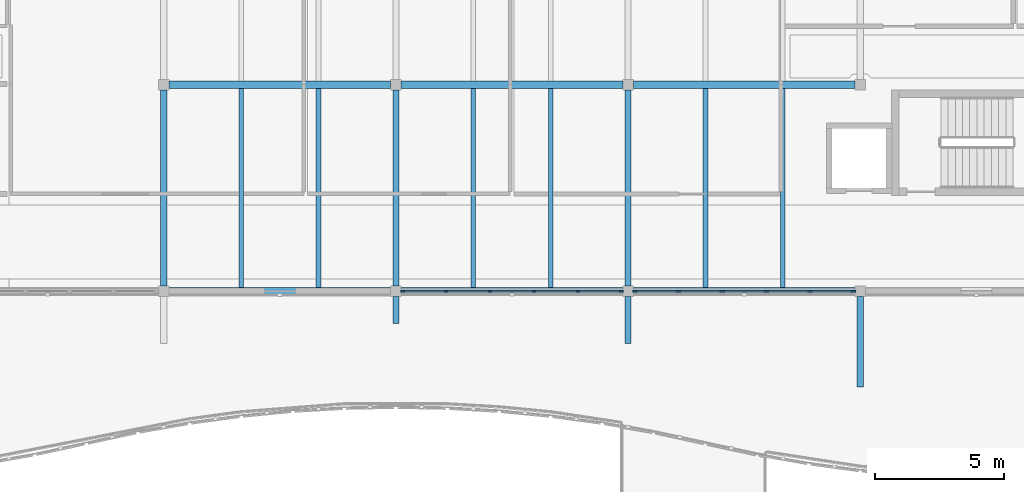
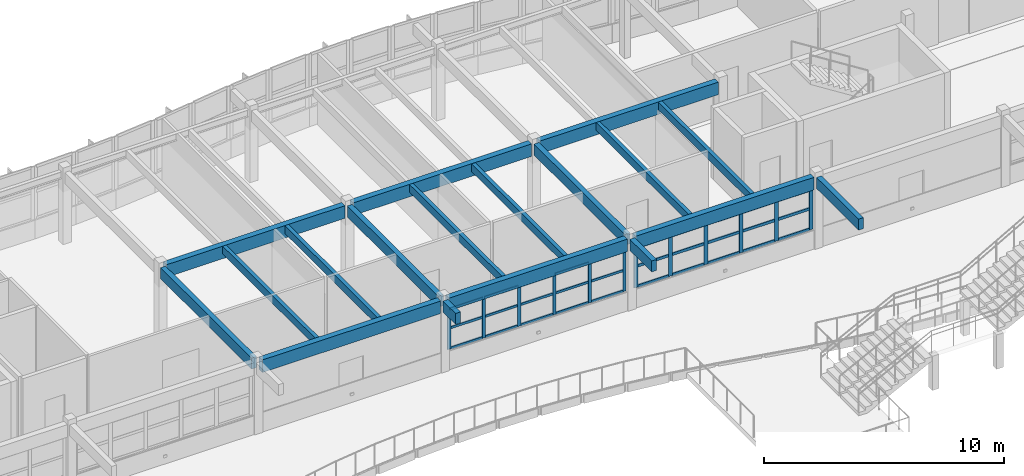
# One storey, part 10 of 52: 42 members, 18 beams, 2 elements without a shape of their own.
"""IFC4 building model written with IfcOpenShell, lengths in metres."""

from ifc_helpers import new_model, si_unit, direction, frame, origin, origin_2d, place, context, subcontext, project, spatial, rectangle, extrude, material, layer, layer_set, material_profile, profile_set, type_object, element, aggregate, save


model = new_model("IFC4")

# Units and contexts
model_context = context("Model", 3, precision=1e-05, world=origin(), true_north=direction((0.0, 1.0)))
body_context = subcontext(model_context, "Body", "Model", "MODEL_VIEW")
ifc_project = project(units=[si_unit("LENGTHUNIT", "METRE"), si_unit("AREAUNIT", "SQUARE_METRE"), si_unit("VOLUMEUNIT", "CUBIC_METRE"), si_unit("PLANEANGLEUNIT", "RADIAN"), si_unit("MASSUNIT", "GRAM", prefix="KILO")], contexts=[model_context])

# Site, building, storey
site_placement = place(None, origin())
site = spatial("IfcSite", under=ifc_project, at=site_placement, CompositionType="ELEMENT")
building_placement = place(site_placement, origin())
building = spatial("IfcBuilding", under=site, at=building_placement, Name="Tonlespit Floodbar School", CompositionType="ELEMENT")
storey_placement = place(building_placement, frame((0.0, 0.0, 12.300048828125)))
storey = spatial("IfcBuildingStorey", under=building, at=storey_placement, Name="L03", CompositionType="ELEMENT", Elevation=12.300048828125)

# Beams
ifc_material_1 = material(Name="Glulam GL28h", Category="wood")
ifc_material_profile_1 = material_profile(ifc_material_1, rectangle(XDim=0.239990234375, YDim=0.56005859375, at=origin_2d()), Name="GL 240x560")
ifc_profile_set_1 = profile_set([ifc_material_profile_1], Name="Glulam GL28h")
beam_type_1 = type_object("IfcBeamType", Name="Beam_GL_240x560", PredefinedType="BEAM", material=ifc_profile_set_1)
for number, where, z_axis, x_axis, name in (
    (1, (71.0, 104.199951171875, 3.369873046875), (0.0, 1.0, 0.0), (-1.0, 0.0, 0.0), "L03 girder 1225"),
    (2, (80.0, 104.199951171875, 3.369873046875), (0.0, 1.0, 0.0), (-1.0, 0.0, 0.0), "L03 girder 1227"),
    (3, (89.0, 104.199951171875, 3.369873046875), (0.0, 1.0, 0.0), (-1.0, 0.0, 0.0), "L03 girder 1229"),
):
    element("IfcBeam", number, at=place(storey_placement, frame(where, z_axis=z_axis, x_axis=x_axis)), inside=storey, type_object=beam_type_1, Name=name, PredefinedType="BEAM", context=body_context, shape_type="SweptSolid", body=[
        extrude(rectangle(XDim=0.239990234375, YDim=0.56005859375, at=origin_2d()), origin(), (0.0, 0.0, 1.0), 7.60009765625),
    ])
beam_1_placement = place(storey_placement, frame((80.0, 103.800048828125, 3.367919921875), z_axis=(0.0, -1.0, 0.0), x_axis=(1.0, 0.0, 0.0)))
element("IfcBeam", 4, at=beam_1_placement, inside=storey, type_object=beam_type_1, Name="L03 V1 curved gallery cantilever rib", PredefinedType="BEAM", context=body_context, shape_type="SweptSolid", body=[
    extrude(rectangle(XDim=0.239990234375, YDim=0.56005859375, at=origin_2d()), origin(), (0.0, 0.0, 1.0), 1.04638671875),
])
beam_2_placement = place(storey_placement, frame((89.0, 103.800048828125, 3.367919921875), z_axis=(0.0, -1.0, 0.0), x_axis=(1.0, 0.0, 0.0)))
element("IfcBeam", 5, at=beam_2_placement, inside=storey, type_object=beam_type_1, Name="L03 V1 curved gallery cantilever rib", PredefinedType="BEAM", context=body_context, shape_type="SweptSolid", body=[
    extrude(rectangle(XDim=0.239990234375, YDim=0.56005859375, at=origin_2d()), origin(), (0.0, 0.0, 1.0), 1.831298828125),
])
beam_3_placement = place(storey_placement, frame((98.0, 103.800048828125, 3.367919921875), z_axis=(0.0, -1.0, 0.0), x_axis=(1.0, 0.0, 0.0)))
element("IfcBeam", 6, at=beam_3_placement, inside=storey, type_object=beam_type_1, Name="L03 V1 curved gallery cantilever rib", PredefinedType="BEAM", context=body_context, shape_type="SweptSolid", body=[
    extrude(rectangle(XDim=0.239990234375, YDim=0.56005859375, at=origin_2d()), origin(), (0.0, 0.0, 1.0), 3.50634765625),
])
ifc_material_profile_2 = material_profile(ifc_material_1, rectangle(XDim=0.280029296875, YDim=0.639892578125, at=origin_2d()), Name="GL 280x640")
ifc_profile_set_2 = profile_set([ifc_material_profile_2], Name="Glulam GL28h")
beam_type_2 = type_object("IfcBeamType", Name="Beam_GL_280x640", PredefinedType="BEAM", material=ifc_profile_set_2)
for number, where, z_axis, x_axis, name in (
    (7, (71.199951171875, 104.0, 3.327880859375), (1.0, 0.0, 0.0), (0.0, 1.0, 0.0), "L03 girder 1170"),
    (8, (80.199951171875, 104.0, 3.327880859375), (1.0, 0.0, 0.0), (0.0, 1.0, 0.0), "L03 girder 1171"),
    (9, (89.199951171875, 104.0, 3.327880859375), (1.0, 0.0, 0.0), (0.0, 1.0, 0.0), "L03 girder 1172"),
    (10, (71.199951171875, 112.0, 3.329833984375), (1.0, 0.0, 0.0), (0.0, 1.0, 0.0), "L03 girder 1182"),
    (11, (80.199951171875, 112.0, 3.329833984375), (1.0, 0.0, 0.0), (0.0, 1.0, 0.0), "L03 girder 1183"),
    (12, (89.199951171875, 112.0, 3.329833984375), (1.0, 0.0, 0.0), (0.0, 1.0, 0.0), "L03 girder 1184"),
):
    element("IfcBeam", number, at=place(storey_placement, frame(where, z_axis=z_axis, x_axis=x_axis)), inside=storey, type_object=beam_type_2, Name=name, PredefinedType="BEAM", context=body_context, shape_type="SweptSolid", body=[
        extrude(rectangle(XDim=0.280029296875, YDim=0.639892578125, at=origin_2d()), origin(), (0.0, 0.0, 1.0), 8.60009765625),
    ])

# Curtain wall, members
ifc_material_2 = material(Name="Anodised Aluminium", Category="aluminium")
ifc_layer = layer(ifc_material_2, 0.159912109375)
ifc_layer_set = layer_set([ifc_layer], Name="Anodised Aluminium")
curtain_wall_type = type_object("IfcCurtainWallType", Name="CurtainWall_8500x2050", PredefinedType="NOTDEFINED", material=ifc_layer_set)
curtain_wall_1_placement = place(storey_placement, origin())
curtain_wall_1 = element("IfcCurtainWall", 13, at=curtain_wall_1_placement, inside=storey, type_object=curtain_wall_type, Name="L03 unitised curtain wall 0162", PredefinedType="NOTDEFINED")
ifc_material_profile_3 = material_profile(ifc_material_2, rectangle(XDim=0.06494140625, YDim=0.14990234375, at=origin_2d()), Name="ALU M65x150")
ifc_profile_set_3 = profile_set([ifc_material_profile_3], Name="Anodised Aluminium")
member_type_1 = type_object("IfcMemberType", Name="CW_Mullion_65x150", PredefinedType="MULLION", material=ifc_profile_set_3)
member_1_placement = place(storey_placement, frame((88.7275390625, 104.0, 0.949951171875), z_axis=(0.0, 0.0, 1.0), x_axis=(0.0, -1.0, 0.0)))
member_1 = element("IfcMember", 14, at=member_1_placement, type_object=member_type_1, Name="CW-07 mullion 1", PredefinedType="MULLION", context=body_context, shape_type="SweptSolid", body=[
    extrude(rectangle(XDim=0.06494140625, YDim=0.14990234375, at=origin_2d()), origin(), (0.0, 0.0, 1.0), 2.05810546875),
])
member_2_placement = place(storey_placement, frame((87.055908203125, 104.0, 0.949951171875), z_axis=(0.0, 0.0, 1.0), x_axis=(0.0, -1.0, 0.0)))
member_2 = element("IfcMember", 15, at=member_2_placement, type_object=member_type_1, Name="CW-07 mullion 2", PredefinedType="MULLION", context=body_context, shape_type="SweptSolid", body=[
    extrude(rectangle(XDim=0.06494140625, YDim=0.14990234375, at=origin_2d()), origin(), (0.0, 0.0, 1.0), 2.05810546875),
])
member_3_placement = place(storey_placement, frame((85.35205078125, 104.0, 0.949951171875), z_axis=(0.0, 0.0, 1.0), x_axis=(0.0, -1.0, 0.0)))
member_3 = element("IfcMember", 16, at=member_3_placement, type_object=member_type_1, Name="CW-07 mullion 3", PredefinedType="MULLION", context=body_context, shape_type="SweptSolid", body=[
    extrude(rectangle(XDim=0.06494140625, YDim=0.14990234375, at=origin_2d()), origin(), (0.0, 0.0, 1.0), 2.05810546875),
])
member_4_placement = place(storey_placement, frame((83.64794921875, 104.0, 0.949951171875), z_axis=(0.0, 0.0, 1.0), x_axis=(0.0, -1.0, 0.0)))
member_4 = element("IfcMember", 17, at=member_4_placement, type_object=member_type_1, Name="CW-07 mullion 4", PredefinedType="MULLION", context=body_context, shape_type="SweptSolid", body=[
    extrude(rectangle(XDim=0.06494140625, YDim=0.14990234375, at=origin_2d()), origin(), (0.0, 0.0, 1.0), 2.05810546875),
])
member_5_placement = place(storey_placement, frame((81.944091796875, 104.0, 0.949951171875), z_axis=(0.0, 0.0, 1.0), x_axis=(0.0, -1.0, 0.0)))
member_5 = element("IfcMember", 18, at=member_5_placement, type_object=member_type_1, Name="CW-07 mullion 5", PredefinedType="MULLION", context=body_context, shape_type="SweptSolid", body=[
    extrude(rectangle(XDim=0.06494140625, YDim=0.14990234375, at=origin_2d()), origin(), (0.0, 0.0, 1.0), 2.05810546875),
])
member_6_placement = place(storey_placement, frame((80.2724609375, 104.0, 0.949951171875), z_axis=(0.0, 0.0, 1.0), x_axis=(0.0, -1.0, 0.0)))
member_6 = element("IfcMember", 19, at=member_6_placement, type_object=member_type_1, Name="CW-07 mullion 6", PredefinedType="MULLION", context=body_context, shape_type="SweptSolid", body=[
    extrude(rectangle(XDim=0.06494140625, YDim=0.14990234375, at=origin_2d()), origin(), (0.0, 0.0, 1.0), 2.05810546875),
])

curtain_wall_2_placement = place(storey_placement, origin())
curtain_wall_2 = element("IfcCurtainWall", 20, at=curtain_wall_2_placement, inside=storey, type_object=curtain_wall_type, Name="L03 unitised curtain wall 0161", PredefinedType="NOTDEFINED")
ifc_material_profile_4 = material_profile(ifc_material_2, rectangle(XDim=0.06494140625, YDim=0.179931640625, at=origin_2d()), Name="ALU M65x180")
ifc_profile_set_4 = profile_set([ifc_material_profile_4], Name="Anodised Aluminium")
member_type_2 = type_object("IfcMemberType", Name="CW_Mullion_65x180", PredefinedType="MULLION", material=ifc_profile_set_4)
member_7_placement = place(storey_placement, frame((97.7275390625, 104.0, 0.949951171875), z_axis=(0.0, 0.0, 1.0), x_axis=(0.0, -1.0, 0.0)))
member_7 = element("IfcMember", 21, at=member_7_placement, type_object=member_type_2, Name="CW-07 mullion 1", PredefinedType="MULLION", context=body_context, shape_type="SweptSolid", body=[
    extrude(rectangle(XDim=0.06494140625, YDim=0.179931640625, at=origin_2d()), origin(), (0.0, 0.0, 1.0), 2.05810546875),
])
member_8_placement = place(storey_placement, frame((96.055908203125, 104.0, 0.949951171875), z_axis=(0.0, 0.0, 1.0), x_axis=(0.0, -1.0, 0.0)))
member_8 = element("IfcMember", 22, at=member_8_placement, type_object=member_type_2, Name="CW-07 mullion 2", PredefinedType="MULLION", context=body_context, shape_type="SweptSolid", body=[
    extrude(rectangle(XDim=0.06494140625, YDim=0.179931640625, at=origin_2d()), origin(), (0.0, 0.0, 1.0), 2.05810546875),
])
member_9_placement = place(storey_placement, frame((94.35205078125, 104.0, 0.949951171875), z_axis=(0.0, 0.0, 1.0), x_axis=(0.0, -1.0, 0.0)))
member_9 = element("IfcMember", 23, at=member_9_placement, type_object=member_type_2, Name="CW-07 mullion 3", PredefinedType="MULLION", context=body_context, shape_type="SweptSolid", body=[
    extrude(rectangle(XDim=0.06494140625, YDim=0.179931640625, at=origin_2d()), origin(), (0.0, 0.0, 1.0), 2.05810546875),
])
member_10_placement = place(storey_placement, frame((92.64794921875, 104.0, 0.949951171875), z_axis=(0.0, 0.0, 1.0), x_axis=(0.0, -1.0, 0.0)))
member_10 = element("IfcMember", 24, at=member_10_placement, type_object=member_type_2, Name="CW-07 mullion 4", PredefinedType="MULLION", context=body_context, shape_type="SweptSolid", body=[
    extrude(rectangle(XDim=0.06494140625, YDim=0.179931640625, at=origin_2d()), origin(), (0.0, 0.0, 1.0), 2.05810546875),
])
member_11_placement = place(storey_placement, frame((90.944091796875, 104.0, 0.949951171875), z_axis=(0.0, 0.0, 1.0), x_axis=(0.0, -1.0, 0.0)))
member_11 = element("IfcMember", 25, at=member_11_placement, type_object=member_type_2, Name="CW-07 mullion 5", PredefinedType="MULLION", context=body_context, shape_type="SweptSolid", body=[
    extrude(rectangle(XDim=0.06494140625, YDim=0.179931640625, at=origin_2d()), origin(), (0.0, 0.0, 1.0), 2.05810546875),
])
member_12_placement = place(storey_placement, frame((89.2724609375, 104.0, 0.949951171875), z_axis=(0.0, 0.0, 1.0), x_axis=(0.0, -1.0, 0.0)))
member_12 = element("IfcMember", 26, at=member_12_placement, type_object=member_type_2, Name="CW-07 mullion 6", PredefinedType="MULLION", context=body_context, shape_type="SweptSolid", body=[
    extrude(rectangle(XDim=0.06494140625, YDim=0.179931640625, at=origin_2d()), origin(), (0.0, 0.0, 1.0), 2.05810546875),
])

# Member
ifc_material_profile_5 = material_profile(ifc_material_2, rectangle(XDim=0.06494140625, YDim=0.1201171875, at=origin_2d()), Name="ALU T65x120")
ifc_profile_set_5 = profile_set([ifc_material_profile_5], Name="Anodised Aluminium")
member_type_3 = type_object("IfcMemberType", Name="CW_Transom_65x120", PredefinedType="USERDEFINED", material=ifc_profile_set_5)
member_13_placement = place(storey_placement, frame((88.695068359375, 104.0, 0.982421875), z_axis=(-1.0, 0.0, 0.0), x_axis=(0.0, -1.0, 0.0)))
member_13 = element("IfcMember", 27, at=member_13_placement, type_object=member_type_3, Name="CW-07 transom 1.1", ObjectType="TRANSOM", PredefinedType="USERDEFINED", context=body_context, shape_type="SweptSolid", body=[
    extrude(rectangle(XDim=0.06494140625, YDim=0.1201171875, at=origin_2d()), origin(), (0.0, 0.0, 1.0), 1.606689453125),
])

member_14_placement = place(storey_placement, frame((88.695068359375, 104.0, 2.020263671875), z_axis=(-1.0, 0.0, 0.0), x_axis=(0.0, -1.0, 0.0)))
member_14 = element("IfcMember", 28, at=member_14_placement, type_object=member_type_3, Name="CW-07 transom 1.2", ObjectType="TRANSOM", PredefinedType="USERDEFINED", context=body_context, shape_type="SweptSolid", body=[
    extrude(rectangle(XDim=0.06494140625, YDim=0.1201171875, at=origin_2d()), origin(), (0.0, 0.0, 1.0), 1.606689453125),
])

member_15_placement = place(storey_placement, frame((88.695068359375, 104.0, 2.975341796875), z_axis=(-1.0, 0.0, 0.0), x_axis=(0.0, -1.0, 0.0)))
member_15 = element("IfcMember", 29, at=member_15_placement, type_object=member_type_3, Name="CW-07 transom 1.3", ObjectType="TRANSOM", PredefinedType="USERDEFINED", context=body_context, shape_type="SweptSolid", body=[
    extrude(rectangle(XDim=0.06494140625, YDim=0.1201171875, at=origin_2d()), origin(), (0.0, 0.0, 1.0), 1.606689453125),
])

member_16_placement = place(storey_placement, frame((87.0234375, 104.0, 0.982421875), z_axis=(-1.0, 0.0, 0.0), x_axis=(0.0, -1.0, 0.0)))
member_16 = element("IfcMember", 30, at=member_16_placement, type_object=member_type_3, Name="CW-07 transom 2.1", ObjectType="TRANSOM", PredefinedType="USERDEFINED", context=body_context, shape_type="SweptSolid", body=[
    extrude(rectangle(XDim=0.06494140625, YDim=0.1201171875, at=origin_2d()), origin(), (0.0, 0.0, 1.0), 1.638916015625),
])

member_17_placement = place(storey_placement, frame((87.0234375, 104.0, 2.020263671875), z_axis=(-1.0, 0.0, 0.0), x_axis=(0.0, -1.0, 0.0)))
member_17 = element("IfcMember", 31, at=member_17_placement, type_object=member_type_3, Name="CW-07 transom 2.2", ObjectType="TRANSOM", PredefinedType="USERDEFINED", context=body_context, shape_type="SweptSolid", body=[
    extrude(rectangle(XDim=0.06494140625, YDim=0.1201171875, at=origin_2d()), origin(), (0.0, 0.0, 1.0), 1.638916015625),
])

member_18_placement = place(storey_placement, frame((87.0234375, 104.0, 2.975341796875), z_axis=(-1.0, 0.0, 0.0), x_axis=(0.0, -1.0, 0.0)))
member_18 = element("IfcMember", 32, at=member_18_placement, type_object=member_type_3, Name="CW-07 transom 2.3", ObjectType="TRANSOM", PredefinedType="USERDEFINED", context=body_context, shape_type="SweptSolid", body=[
    extrude(rectangle(XDim=0.06494140625, YDim=0.1201171875, at=origin_2d()), origin(), (0.0, 0.0, 1.0), 1.638916015625),
])

member_19_placement = place(storey_placement, frame((85.319580078125, 104.0, 0.982421875), z_axis=(-1.0, 0.0, 0.0), x_axis=(0.0, -1.0, 0.0)))
member_19 = element("IfcMember", 33, at=member_19_placement, type_object=member_type_3, Name="CW-07 transom 3.1", ObjectType="TRANSOM", PredefinedType="USERDEFINED", context=body_context, shape_type="SweptSolid", body=[
    extrude(rectangle(XDim=0.06494140625, YDim=0.1201171875, at=origin_2d()), origin(), (0.0, 0.0, 1.0), 1.63916015625),
])

member_20_placement = place(storey_placement, frame((85.319580078125, 104.0, 2.020263671875), z_axis=(-1.0, 0.0, 0.0), x_axis=(0.0, -1.0, 0.0)))
member_20 = element("IfcMember", 34, at=member_20_placement, type_object=member_type_3, Name="CW-07 transom 3.2", ObjectType="TRANSOM", PredefinedType="USERDEFINED", context=body_context, shape_type="SweptSolid", body=[
    extrude(rectangle(XDim=0.06494140625, YDim=0.1201171875, at=origin_2d()), origin(), (0.0, 0.0, 1.0), 1.63916015625),
])

member_21_placement = place(storey_placement, frame((85.319580078125, 104.0, 2.975341796875), z_axis=(-1.0, 0.0, 0.0), x_axis=(0.0, -1.0, 0.0)))
member_21 = element("IfcMember", 35, at=member_21_placement, type_object=member_type_3, Name="CW-07 transom 3.3", ObjectType="TRANSOM", PredefinedType="USERDEFINED", context=body_context, shape_type="SweptSolid", body=[
    extrude(rectangle(XDim=0.06494140625, YDim=0.1201171875, at=origin_2d()), origin(), (0.0, 0.0, 1.0), 1.63916015625),
])

member_22_placement = place(storey_placement, frame((83.615478515625, 104.0, 0.982421875), z_axis=(-1.0, 0.0, 0.0), x_axis=(0.0, -1.0, 0.0)))
member_22 = element("IfcMember", 36, at=member_22_placement, type_object=member_type_3, Name="CW-07 transom 4.1", ObjectType="TRANSOM", PredefinedType="USERDEFINED", context=body_context, shape_type="SweptSolid", body=[
    extrude(rectangle(XDim=0.06494140625, YDim=0.1201171875, at=origin_2d()), origin(), (0.0, 0.0, 1.0), 1.638916015625),
])

member_23_placement = place(storey_placement, frame((83.615478515625, 104.0, 2.020263671875), z_axis=(-1.0, 0.0, 0.0), x_axis=(0.0, -1.0, 0.0)))
member_23 = element("IfcMember", 37, at=member_23_placement, type_object=member_type_3, Name="CW-07 transom 4.2", ObjectType="TRANSOM", PredefinedType="USERDEFINED", context=body_context, shape_type="SweptSolid", body=[
    extrude(rectangle(XDim=0.06494140625, YDim=0.1201171875, at=origin_2d()), origin(), (0.0, 0.0, 1.0), 1.638916015625),
])

member_24_placement = place(storey_placement, frame((83.615478515625, 104.0, 2.975341796875), z_axis=(-1.0, 0.0, 0.0), x_axis=(0.0, -1.0, 0.0)))
member_24 = element("IfcMember", 38, at=member_24_placement, type_object=member_type_3, Name="CW-07 transom 4.3", ObjectType="TRANSOM", PredefinedType="USERDEFINED", context=body_context, shape_type="SweptSolid", body=[
    extrude(rectangle(XDim=0.06494140625, YDim=0.1201171875, at=origin_2d()), origin(), (0.0, 0.0, 1.0), 1.638916015625),
])

member_25_placement = place(storey_placement, frame((81.91162109375, 104.0, 0.982421875), z_axis=(-1.0, 0.0, 0.0), x_axis=(0.0, -1.0, 0.0)))
member_25 = element("IfcMember", 39, at=member_25_placement, type_object=member_type_3, Name="CW-07 transom 5.1", ObjectType="TRANSOM", PredefinedType="USERDEFINED", context=body_context, shape_type="SweptSolid", body=[
    extrude(rectangle(XDim=0.06494140625, YDim=0.1201171875, at=origin_2d()), origin(), (0.0, 0.0, 1.0), 1.606689453125),
])

member_26_placement = place(storey_placement, frame((81.91162109375, 104.0, 2.020263671875), z_axis=(-1.0, 0.0, 0.0), x_axis=(0.0, -1.0, 0.0)))
member_26 = element("IfcMember", 40, at=member_26_placement, type_object=member_type_3, Name="CW-07 transom 5.2", ObjectType="TRANSOM", PredefinedType="USERDEFINED", context=body_context, shape_type="SweptSolid", body=[
    extrude(rectangle(XDim=0.06494140625, YDim=0.1201171875, at=origin_2d()), origin(), (0.0, 0.0, 1.0), 1.606689453125),
])

member_27_placement = place(storey_placement, frame((81.91162109375, 104.0, 2.975341796875), z_axis=(-1.0, 0.0, 0.0), x_axis=(0.0, -1.0, 0.0)))
member_27 = element("IfcMember", 41, at=member_27_placement, type_object=member_type_3, Name="CW-07 transom 5.3", ObjectType="TRANSOM", PredefinedType="USERDEFINED", context=body_context, shape_type="SweptSolid", body=[
    extrude(rectangle(XDim=0.06494140625, YDim=0.1201171875, at=origin_2d()), origin(), (0.0, 0.0, 1.0), 1.606689453125),
])

aggregate(curtain_wall_1, [member_1, member_2, member_3, member_4, member_5, member_6, member_13, member_14, member_15, member_16, member_17, member_18, member_19, member_20, member_21, member_22, member_23, member_24, member_25, member_26, member_27])

ifc_material_profile_6 = material_profile(ifc_material_2, rectangle(XDim=0.06494140625, YDim=0.139892578125, at=origin_2d()), Name="ALU T65x140")
ifc_profile_set_6 = profile_set([ifc_material_profile_6], Name="Anodised Aluminium")
member_type_4 = type_object("IfcMemberType", Name="CW_Transom_65x140", PredefinedType="USERDEFINED", material=ifc_profile_set_6)
member_28_placement = place(storey_placement, frame((97.695068359375, 104.0, 0.982421875), z_axis=(-1.0, 0.0, 0.0), x_axis=(0.0, -1.0, 0.0)))
member_28 = element("IfcMember", 42, at=member_28_placement, type_object=member_type_4, Name="CW-07 transom 1.1", ObjectType="TRANSOM", PredefinedType="USERDEFINED", context=body_context, shape_type="SweptSolid", body=[
    extrude(rectangle(XDim=0.06494140625, YDim=0.139892578125, at=origin_2d()), origin(), (0.0, 0.0, 1.0), 1.606689453125),
])

member_29_placement = place(storey_placement, frame((97.695068359375, 104.0, 2.020263671875), z_axis=(-1.0, 0.0, 0.0), x_axis=(0.0, -1.0, 0.0)))
member_29 = element("IfcMember", 43, at=member_29_placement, type_object=member_type_4, Name="CW-07 transom 1.2", ObjectType="TRANSOM", PredefinedType="USERDEFINED", context=body_context, shape_type="SweptSolid", body=[
    extrude(rectangle(XDim=0.06494140625, YDim=0.139892578125, at=origin_2d()), origin(), (0.0, 0.0, 1.0), 1.606689453125),
])

member_30_placement = place(storey_placement, frame((97.695068359375, 104.0, 2.975341796875), z_axis=(-1.0, 0.0, 0.0), x_axis=(0.0, -1.0, 0.0)))
member_30 = element("IfcMember", 44, at=member_30_placement, type_object=member_type_4, Name="CW-07 transom 1.3", ObjectType="TRANSOM", PredefinedType="USERDEFINED", context=body_context, shape_type="SweptSolid", body=[
    extrude(rectangle(XDim=0.06494140625, YDim=0.139892578125, at=origin_2d()), origin(), (0.0, 0.0, 1.0), 1.606689453125),
])

member_31_placement = place(storey_placement, frame((96.0234375, 104.0, 0.982421875), z_axis=(-1.0, 0.0, 0.0), x_axis=(0.0, -1.0, 0.0)))
member_31 = element("IfcMember", 45, at=member_31_placement, type_object=member_type_4, Name="CW-07 transom 2.1", ObjectType="TRANSOM", PredefinedType="USERDEFINED", context=body_context, shape_type="SweptSolid", body=[
    extrude(rectangle(XDim=0.06494140625, YDim=0.139892578125, at=origin_2d()), origin(), (0.0, 0.0, 1.0), 1.638916015625),
])

member_32_placement = place(storey_placement, frame((96.0234375, 104.0, 2.020263671875), z_axis=(-1.0, 0.0, 0.0), x_axis=(0.0, -1.0, 0.0)))
member_32 = element("IfcMember", 46, at=member_32_placement, type_object=member_type_4, Name="CW-07 transom 2.2", ObjectType="TRANSOM", PredefinedType="USERDEFINED", context=body_context, shape_type="SweptSolid", body=[
    extrude(rectangle(XDim=0.06494140625, YDim=0.139892578125, at=origin_2d()), origin(), (0.0, 0.0, 1.0), 1.638916015625),
])

member_33_placement = place(storey_placement, frame((96.0234375, 104.0, 2.975341796875), z_axis=(-1.0, 0.0, 0.0), x_axis=(0.0, -1.0, 0.0)))
member_33 = element("IfcMember", 47, at=member_33_placement, type_object=member_type_4, Name="CW-07 transom 2.3", ObjectType="TRANSOM", PredefinedType="USERDEFINED", context=body_context, shape_type="SweptSolid", body=[
    extrude(rectangle(XDim=0.06494140625, YDim=0.139892578125, at=origin_2d()), origin(), (0.0, 0.0, 1.0), 1.638916015625),
])

member_34_placement = place(storey_placement, frame((94.319580078125, 104.0, 0.982421875), z_axis=(-1.0, 0.0, 0.0), x_axis=(0.0, -1.0, 0.0)))
member_34 = element("IfcMember", 48, at=member_34_placement, type_object=member_type_4, Name="CW-07 transom 3.1", ObjectType="TRANSOM", PredefinedType="USERDEFINED", context=body_context, shape_type="SweptSolid", body=[
    extrude(rectangle(XDim=0.06494140625, YDim=0.139892578125, at=origin_2d()), origin(), (0.0, 0.0, 1.0), 1.63916015625),
])

member_35_placement = place(storey_placement, frame((94.319580078125, 104.0, 2.020263671875), z_axis=(-1.0, 0.0, 0.0), x_axis=(0.0, -1.0, 0.0)))
member_35 = element("IfcMember", 49, at=member_35_placement, type_object=member_type_4, Name="CW-07 transom 3.2", ObjectType="TRANSOM", PredefinedType="USERDEFINED", context=body_context, shape_type="SweptSolid", body=[
    extrude(rectangle(XDim=0.06494140625, YDim=0.139892578125, at=origin_2d()), origin(), (0.0, 0.0, 1.0), 1.63916015625),
])

member_36_placement = place(storey_placement, frame((94.319580078125, 104.0, 2.975341796875), z_axis=(-1.0, 0.0, 0.0), x_axis=(0.0, -1.0, 0.0)))
member_36 = element("IfcMember", 50, at=member_36_placement, type_object=member_type_4, Name="CW-07 transom 3.3", ObjectType="TRANSOM", PredefinedType="USERDEFINED", context=body_context, shape_type="SweptSolid", body=[
    extrude(rectangle(XDim=0.06494140625, YDim=0.139892578125, at=origin_2d()), origin(), (0.0, 0.0, 1.0), 1.63916015625),
])

member_37_placement = place(storey_placement, frame((92.615478515625, 104.0, 0.982421875), z_axis=(-1.0, 0.0, 0.0), x_axis=(0.0, -1.0, 0.0)))
member_37 = element("IfcMember", 51, at=member_37_placement, type_object=member_type_4, Name="CW-07 transom 4.1", ObjectType="TRANSOM", PredefinedType="USERDEFINED", context=body_context, shape_type="SweptSolid", body=[
    extrude(rectangle(XDim=0.06494140625, YDim=0.139892578125, at=origin_2d()), origin(), (0.0, 0.0, 1.0), 1.638916015625),
])

member_38_placement = place(storey_placement, frame((92.615478515625, 104.0, 2.020263671875), z_axis=(-1.0, 0.0, 0.0), x_axis=(0.0, -1.0, 0.0)))
member_38 = element("IfcMember", 52, at=member_38_placement, type_object=member_type_4, Name="CW-07 transom 4.2", ObjectType="TRANSOM", PredefinedType="USERDEFINED", context=body_context, shape_type="SweptSolid", body=[
    extrude(rectangle(XDim=0.06494140625, YDim=0.139892578125, at=origin_2d()), origin(), (0.0, 0.0, 1.0), 1.638916015625),
])

member_39_placement = place(storey_placement, frame((92.615478515625, 104.0, 2.975341796875), z_axis=(-1.0, 0.0, 0.0), x_axis=(0.0, -1.0, 0.0)))
member_39 = element("IfcMember", 53, at=member_39_placement, type_object=member_type_4, Name="CW-07 transom 4.3", ObjectType="TRANSOM", PredefinedType="USERDEFINED", context=body_context, shape_type="SweptSolid", body=[
    extrude(rectangle(XDim=0.06494140625, YDim=0.139892578125, at=origin_2d()), origin(), (0.0, 0.0, 1.0), 1.638916015625),
])

member_40_placement = place(storey_placement, frame((90.91162109375, 104.0, 0.982421875), z_axis=(-1.0, 0.0, 0.0), x_axis=(0.0, -1.0, 0.0)))
member_40 = element("IfcMember", 54, at=member_40_placement, type_object=member_type_4, Name="CW-07 transom 5.1", ObjectType="TRANSOM", PredefinedType="USERDEFINED", context=body_context, shape_type="SweptSolid", body=[
    extrude(rectangle(XDim=0.06494140625, YDim=0.139892578125, at=origin_2d()), origin(), (0.0, 0.0, 1.0), 1.606689453125),
])

member_41_placement = place(storey_placement, frame((90.91162109375, 104.0, 2.020263671875), z_axis=(-1.0, 0.0, 0.0), x_axis=(0.0, -1.0, 0.0)))
member_41 = element("IfcMember", 55, at=member_41_placement, type_object=member_type_4, Name="CW-07 transom 5.2", ObjectType="TRANSOM", PredefinedType="USERDEFINED", context=body_context, shape_type="SweptSolid", body=[
    extrude(rectangle(XDim=0.06494140625, YDim=0.139892578125, at=origin_2d()), origin(), (0.0, 0.0, 1.0), 1.606689453125),
])

member_42_placement = place(storey_placement, frame((90.91162109375, 104.0, 2.975341796875), z_axis=(-1.0, 0.0, 0.0), x_axis=(0.0, -1.0, 0.0)))
member_42 = element("IfcMember", 56, at=member_42_placement, type_object=member_type_4, Name="CW-07 transom 5.3", ObjectType="TRANSOM", PredefinedType="USERDEFINED", context=body_context, shape_type="SweptSolid", body=[
    extrude(rectangle(XDim=0.06494140625, YDim=0.139892578125, at=origin_2d()), origin(), (0.0, 0.0, 1.0), 1.606689453125),
])

aggregate(curtain_wall_2, [member_7, member_8, member_9, member_10, member_11, member_12, member_28, member_29, member_30, member_31, member_32, member_33, member_34, member_35, member_36, member_37, member_38, member_39, member_40, member_41, member_42])

# Beams
ifc_material_profile_7 = material_profile(ifc_material_1, rectangle(XDim=0.179931640625, YDim=0.39990234375, at=origin_2d()), Name="GL 180x400")
ifc_profile_set_7 = profile_set([ifc_material_profile_7], Name="Glulam GL28h")
beam_type_3 = type_object("IfcBeamType", Name="Joist_GL_180x400", PredefinedType="JOIST", material=ifc_profile_set_7)
for number, where, z_axis, x_axis, name in (
    (57, (74.0, 104.139892578125, 3.447998046875), (0.0, 1.0, 0.0), (-1.0, 0.0, 0.0), "L03 secondary joist 1249"),
    (58, (77.0, 104.139892578125, 3.447998046875), (0.0, 1.0, 0.0), (-1.0, 0.0, 0.0), "L03 secondary joist 1250"),
    (59, (83.0, 104.139892578125, 3.447998046875), (0.0, 1.0, 0.0), (-1.0, 0.0, 0.0), "L03 secondary joist 1251"),
    (60, (86.0, 104.139892578125, 3.447998046875), (0.0, 1.0, 0.0), (-1.0, 0.0, 0.0), "L03 secondary joist 1252"),
    (61, (92.0, 104.139892578125, 3.447998046875), (0.0, 1.0, 0.0), (-1.0, 0.0, 0.0), "L03 secondary joist 1253"),
    (62, (95.0, 104.139892578125, 3.447998046875), (0.0, 1.0, 0.0), (-1.0, 0.0, 0.0), "L03 secondary joist 1254"),
):
    element("IfcBeam", number, at=place(storey_placement, frame(where, z_axis=z_axis, x_axis=x_axis)), inside=storey, type_object=beam_type_3, Name=name, PredefinedType="JOIST", context=body_context, shape_type="SweptSolid", body=[
        extrude(rectangle(XDim=0.179931640625, YDim=0.39990234375, at=origin_2d()), origin(), (0.0, 0.0, 1.0), 7.72021484375),
    ])

save(model, "model.ifc")
